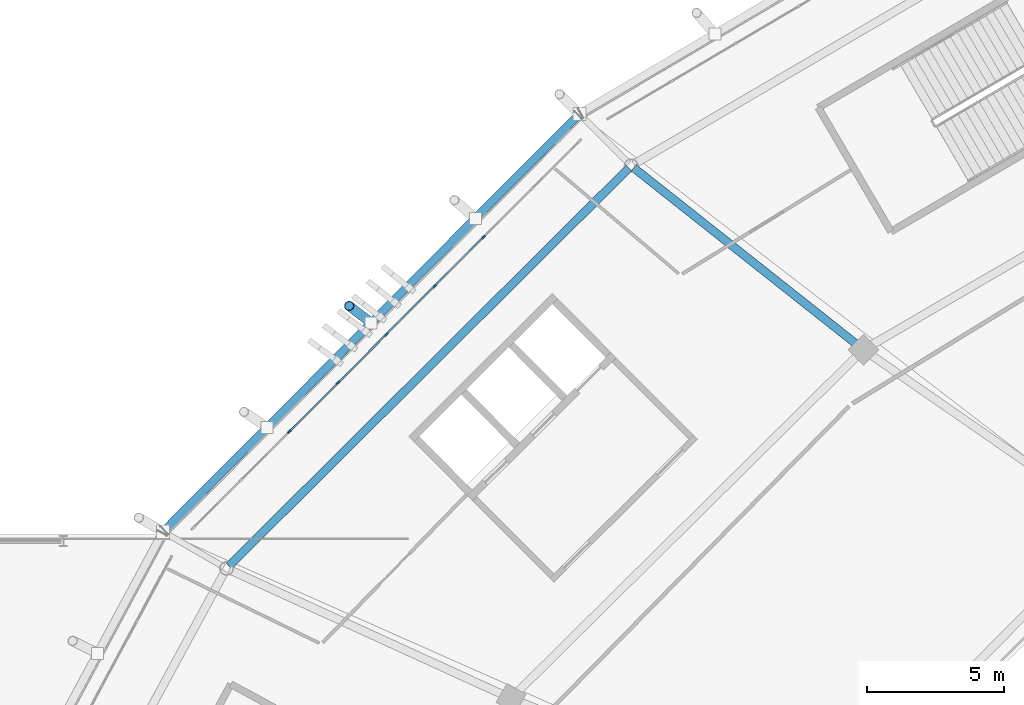
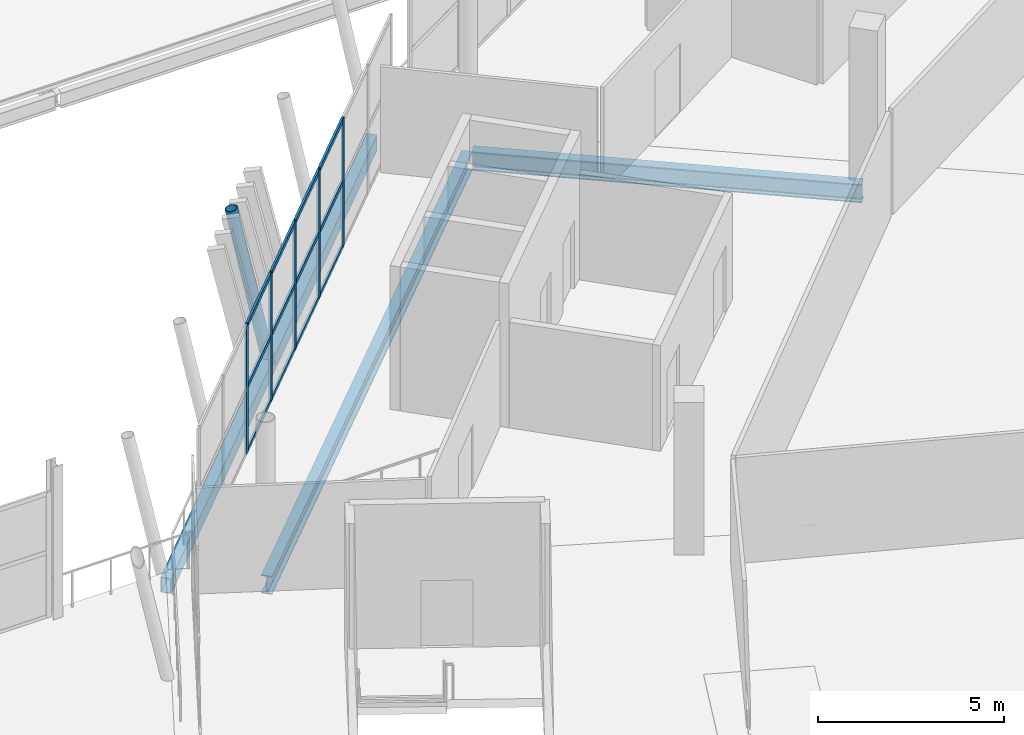
# One storey, part 47 of 179: 18 members, 3 beams, 1 element without a shape of its own.
"""IFC4 building model written with IfcOpenShell, lengths in metres."""

from ifc_helpers import new_model, si_unit, direction, frame, origin, origin_2d, place, context, subcontext, project, spatial, rectangle, hollow_rectangle, hollow_circle, i_section, extrude, material, material_profile, profile_set, type_object, element, aggregate, save


model = new_model("IFC4")

# Units and contexts
model_context = context("Model", 3, precision=1e-05, world=origin(), true_north=direction((0.0, 1.0)))
body_context = subcontext(model_context, "Body", "Model", "MODEL_VIEW")
ifc_project = project(units=[si_unit("LENGTHUNIT", "METRE"), si_unit("AREAUNIT", "SQUARE_METRE"), si_unit("VOLUMEUNIT", "CUBIC_METRE"), si_unit("PLANEANGLEUNIT", "RADIAN"), si_unit("MASSUNIT", "GRAM", prefix="KILO")], contexts=[model_context])

# Site, building, storey
site_placement = place(None, origin())
site = spatial("IfcSite", under=ifc_project, at=site_placement, CompositionType="ELEMENT")
building_placement = place(site_placement, origin())
building = spatial("IfcBuilding", under=site, at=building_placement, Name="Zlatoyarsky Gate Stadium", CompositionType="ELEMENT")
storey_placement = place(building_placement, frame((0.0, 0.0, 10.60009765625)))
storey = spatial("IfcBuildingStorey", under=building, at=storey_placement, Name="L02", CompositionType="ELEMENT", Elevation=10.60009765625)

# Curtain wall, members
ifc_material_1 = material(Name="Thermally broken anodised aluminium curtain wall", Category="aluminium")
curtain_wall_type = type_object("IfcCurtainWallType", Name="UNITISED HOSPITALITY GLAZING L02", PredefinedType="USERDEFINED", material=ifc_material_1)
curtain_wall_placement = place(storey_placement, origin())
curtain_wall = element("IfcCurtainWall", 1, at=curtain_wall_placement, inside=storey, type_object=curtain_wall_type, Name="Curtain wall CW-L02-09", ObjectType="UNITISED GLAZING", PredefinedType="USERDEFINED")
ifc_material_2 = material(Name="Anodised aluminium 6063-T6", Category="aluminium")
ifc_material_profile_1 = material_profile(ifc_material_2, rectangle(XDim=0.06494140625, YDim=0.159912109375, at=origin_2d()), Name="ALU 65X160")
ifc_profile_set_1 = profile_set([ifc_material_profile_1], Name="Anodised aluminium 6063-T6")
member_type_1 = type_object("IfcMemberType", Name="ALUMINIUM MULLION 65X160", PredefinedType="MULLION", material=ifc_profile_set_1)
member_1_placement = place(storey_placement, frame((39.8388671875, 127.59326171875, 0.0), z_axis=(0.0, 0.0, 1.0), x_axis=(0.707587678066, -0.706625557031, 0.0)))
member_1 = element("IfcMember", 2, at=member_1_placement, type_object=member_type_1, Name="CW-UG2 mullion 3", PredefinedType="MULLION", context=body_context, shape_type="SweptSolid", body=[
    extrude(rectangle(XDim=0.06494140625, YDim=0.159912109375, at=origin_2d()), origin(), (0.0, 0.0, 1.0), 4.199951171875),
])
member_2_placement = place(storey_placement, frame((38.067138671875, 125.819091796875, 0.0), z_axis=(0.0, 0.0, 1.0), x_axis=(0.707587678066, -0.706625557031, 0.0)))
member_2 = element("IfcMember", 3, at=member_2_placement, type_object=member_type_1, Name="CW-UG2 mullion 4", PredefinedType="MULLION", context=body_context, shape_type="SweptSolid", body=[
    extrude(rectangle(XDim=0.06494140625, YDim=0.159912109375, at=origin_2d()), origin(), (0.0, 0.0, 1.0), 4.199951171875),
])
member_3_placement = place(storey_placement, frame((36.295166015625, 124.044921875, 0.0), z_axis=(0.0, 0.0, 1.0), x_axis=(0.707587678066, -0.706625557031, 0.0)))
member_3 = element("IfcMember", 4, at=member_3_placement, type_object=member_type_1, Name="CW-UG2 mullion 5", PredefinedType="MULLION", context=body_context, shape_type="SweptSolid", body=[
    extrude(rectangle(XDim=0.06494140625, YDim=0.159912109375, at=origin_2d()), origin(), (0.0, 0.0, 1.0), 4.199951171875),
])
member_4_placement = place(storey_placement, frame((34.5234375, 122.2705078125, 0.0), z_axis=(0.0, 0.0, 1.0), x_axis=(0.707587678066, -0.706625557031, 0.0)))
member_4 = element("IfcMember", 5, at=member_4_placement, type_object=member_type_1, Name="CW-UG2 mullion 6", PredefinedType="MULLION", context=body_context, shape_type="SweptSolid", body=[
    extrude(rectangle(XDim=0.06494140625, YDim=0.159912109375, at=origin_2d()), origin(), (0.0, 0.0, 1.0), 4.199951171875),
])
member_5_placement = place(storey_placement, frame((32.75146484375, 120.496337890625, 0.0), z_axis=(0.0, 0.0, 1.0), x_axis=(0.707587678066, -0.706625557031, 0.0)))
member_5 = element("IfcMember", 6, at=member_5_placement, type_object=member_type_1, Name="CW-UG2 mullion 7", PredefinedType="MULLION", context=body_context, shape_type="SweptSolid", body=[
    extrude(rectangle(XDim=0.06494140625, YDim=0.159912109375, at=origin_2d()), origin(), (0.0, 0.0, 1.0), 4.199951171875),
])
ifc_material_profile_2 = material_profile(ifc_material_2, rectangle(XDim=0.06494140625, YDim=0.139892578125, at=origin_2d()), Name="ALU 65X140")
ifc_profile_set_2 = profile_set([ifc_material_profile_2], Name="Anodised aluminium 6063-T6")
member_type_2 = type_object("IfcMemberType", Name="ALUMINIUM TRANSOM 65X140", PredefinedType="USERDEFINED", material=ifc_profile_set_2)
member_6_placement = place(storey_placement, frame((39.81591796875, 127.5703125, 0.032470703125), z_axis=(-0.706606811932, -0.707606397181, 0.0), x_axis=(0.707606397181, -0.706606811932, 0.0)))
member_6 = element("IfcMember", 7, at=member_6_placement, type_object=member_type_2, Name="CW-UG2 transom 3.1", ObjectType="TRANSOM", PredefinedType="USERDEFINED", context=body_context, shape_type="SweptSolid", body=[
    extrude(rectangle(XDim=0.06494140625, YDim=0.139892578125, at=origin_2d()), origin(), (0.0, 0.0, 1.0), 2.4423828125),
])
member_7_placement = place(storey_placement, frame((39.81591796875, 127.5703125, 2.14990234375), z_axis=(-0.706606811932, -0.707606397181, 0.0), x_axis=(0.707606397181, -0.706606811932, 0.0)))
member_7 = element("IfcMember", 8, at=member_7_placement, type_object=member_type_2, Name="CW-UG2 transom 3.2", ObjectType="TRANSOM", PredefinedType="USERDEFINED", context=body_context, shape_type="SweptSolid", body=[
    extrude(rectangle(XDim=0.06494140625, YDim=0.139892578125, at=origin_2d()), origin(), (0.0, 0.0, 1.0), 2.4423828125),
])
member_8_placement = place(storey_placement, frame((39.81591796875, 127.5703125, 4.16748046875), z_axis=(-0.706606811932, -0.707606397181, 0.0), x_axis=(0.707606397181, -0.706606811932, 0.0)))
member_8 = element("IfcMember", 9, at=member_8_placement, type_object=member_type_2, Name="CW-UG2 transom 3.3", ObjectType="TRANSOM", PredefinedType="USERDEFINED", context=body_context, shape_type="SweptSolid", body=[
    extrude(rectangle(XDim=0.06494140625, YDim=0.139892578125, at=origin_2d()), origin(), (0.0, 0.0, 1.0), 2.4423828125),
])
member_9_placement = place(storey_placement, frame((38.044189453125, 125.796142578125, 0.032470703125), z_axis=(-0.706656856545, -0.707556419728, 0.0), x_axis=(0.707556419728, -0.706656856545, 0.0)))
member_9 = element("IfcMember", 10, at=member_9_placement, type_object=member_type_2, Name="CW-UG2 transom 4.1", ObjectType="TRANSOM", PredefinedType="USERDEFINED", context=body_context, shape_type="SweptSolid", body=[
    extrude(rectangle(XDim=0.06494140625, YDim=0.139892578125, at=origin_2d()), origin(), (0.0, 0.0, 1.0), 2.442626953125),
])
member_10_placement = place(storey_placement, frame((38.044189453125, 125.796142578125, 2.14990234375), z_axis=(-0.706656856545, -0.707556419728, 0.0), x_axis=(0.707556419728, -0.706656856545, 0.0)))
member_10 = element("IfcMember", 11, at=member_10_placement, type_object=member_type_2, Name="CW-UG2 transom 4.2", ObjectType="TRANSOM", PredefinedType="USERDEFINED", context=body_context, shape_type="SweptSolid", body=[
    extrude(rectangle(XDim=0.06494140625, YDim=0.139892578125, at=origin_2d()), origin(), (0.0, 0.0, 1.0), 2.442626953125),
])
member_11_placement = place(storey_placement, frame((38.044189453125, 125.796142578125, 4.16748046875), z_axis=(-0.706656856545, -0.707556419728, 0.0), x_axis=(0.707556419728, -0.706656856545, 0.0)))
member_11 = element("IfcMember", 12, at=member_11_placement, type_object=member_type_2, Name="CW-UG2 transom 4.3", ObjectType="TRANSOM", PredefinedType="USERDEFINED", context=body_context, shape_type="SweptSolid", body=[
    extrude(rectangle(XDim=0.06494140625, YDim=0.139892578125, at=origin_2d()), origin(), (0.0, 0.0, 1.0), 2.442626953125),
])
member_12_placement = place(storey_placement, frame((36.272216796875, 124.02197265625, 0.032470703125), z_axis=(-0.706606811932, -0.707606397181, 0.0), x_axis=(0.707606397181, -0.706606811932, 0.0)))
member_12 = element("IfcMember", 13, at=member_12_placement, type_object=member_type_2, Name="CW-UG2 transom 5.1", ObjectType="TRANSOM", PredefinedType="USERDEFINED", context=body_context, shape_type="SweptSolid", body=[
    extrude(rectangle(XDim=0.06494140625, YDim=0.139892578125, at=origin_2d()), origin(), (0.0, 0.0, 1.0), 2.4423828125),
])
member_13_placement = place(storey_placement, frame((36.272216796875, 124.02197265625, 2.14990234375), z_axis=(-0.706606811932, -0.707606397181, 0.0), x_axis=(0.707606397181, -0.706606811932, 0.0)))
member_13 = element("IfcMember", 14, at=member_13_placement, type_object=member_type_2, Name="CW-UG2 transom 5.2", ObjectType="TRANSOM", PredefinedType="USERDEFINED", context=body_context, shape_type="SweptSolid", body=[
    extrude(rectangle(XDim=0.06494140625, YDim=0.139892578125, at=origin_2d()), origin(), (0.0, 0.0, 1.0), 2.4423828125),
])
member_14_placement = place(storey_placement, frame((36.272216796875, 124.02197265625, 4.16748046875), z_axis=(-0.706606811932, -0.707606397181, 0.0), x_axis=(0.707606397181, -0.706606811932, 0.0)))
member_14 = element("IfcMember", 15, at=member_14_placement, type_object=member_type_2, Name="CW-UG2 transom 5.3", ObjectType="TRANSOM", PredefinedType="USERDEFINED", context=body_context, shape_type="SweptSolid", body=[
    extrude(rectangle(XDim=0.06494140625, YDim=0.139892578125, at=origin_2d()), origin(), (0.0, 0.0, 1.0), 2.4423828125),
])
member_15_placement = place(storey_placement, frame((34.50048828125, 122.24755859375, 0.032470703125), z_axis=(-0.706656856545, -0.707556419728, 0.0), x_axis=(0.707556419728, -0.706656856545, 0.0)))
member_15 = element("IfcMember", 16, at=member_15_placement, type_object=member_type_2, Name="CW-UG2 transom 6.1", ObjectType="TRANSOM", PredefinedType="USERDEFINED", context=body_context, shape_type="SweptSolid", body=[
    extrude(rectangle(XDim=0.06494140625, YDim=0.139892578125, at=origin_2d()), origin(), (0.0, 0.0, 1.0), 2.442626953125),
])
member_16_placement = place(storey_placement, frame((34.50048828125, 122.24755859375, 2.14990234375), z_axis=(-0.706656856545, -0.707556419728, 0.0), x_axis=(0.707556419728, -0.706656856545, 0.0)))
member_16 = element("IfcMember", 17, at=member_16_placement, type_object=member_type_2, Name="CW-UG2 transom 6.2", ObjectType="TRANSOM", PredefinedType="USERDEFINED", context=body_context, shape_type="SweptSolid", body=[
    extrude(rectangle(XDim=0.06494140625, YDim=0.139892578125, at=origin_2d()), origin(), (0.0, 0.0, 1.0), 2.442626953125),
])
member_17_placement = place(storey_placement, frame((34.50048828125, 122.24755859375, 4.16748046875), z_axis=(-0.706656856545, -0.707556419728, 0.0), x_axis=(0.707556419728, -0.706656856545, 0.0)))
member_17 = element("IfcMember", 18, at=member_17_placement, type_object=member_type_2, Name="CW-UG2 transom 6.3", ObjectType="TRANSOM", PredefinedType="USERDEFINED", context=body_context, shape_type="SweptSolid", body=[
    extrude(rectangle(XDim=0.06494140625, YDim=0.139892578125, at=origin_2d()), origin(), (0.0, 0.0, 1.0), 2.442626953125),
])
aggregate(curtain_wall, [member_1, member_2, member_3, member_4, member_5, member_6, member_7, member_8, member_9, member_10, member_11, member_12, member_13, member_14, member_15, member_16, member_17])

# Member
ifc_material_3 = material(Name="Steel S355", Category="steel")
ifc_material_profile_3 = material_profile(ifc_material_3, hollow_circle(Radius=0.177734375, WallThickness=0.02001953125, at=origin_2d()), Name="CHS 355.6X20")
ifc_profile_set_3 = profile_set([ifc_material_profile_3], Name="Steel S355")
member_type_3 = type_object("IfcMemberType", Name="STEEL LEANING RIB RING STRUT CHS 355.6X20", PredefinedType="STRUT", material=ifc_profile_set_3)
member_18_placement = place(storey_placement, frame((35.744384765625, 124.46728515625, -0.530029296875), z_axis=(-0.158184279815, 0.121389448848, 0.979919555539), x_axis=(-0.608794200156, -0.79332819303, 0.0)))
element("IfcMember", 19, at=member_18_placement, inside=storey, type_object=member_type_3, Name="Outward-leaning bowl louvre fin rib L02 09-2", PredefinedType="STRUT", context=body_context, shape_type="SweptSolid", body=[
    extrude(hollow_circle(Radius=0.177734375, WallThickness=0.02001953125, at=origin_2d()), origin(), (0.0, 0.0, 1.0), 5.1025390625),
])

# Beams
ifc_material_profile_4 = material_profile(ifc_material_3, hollow_rectangle(XDim=0.300048828125, YDim=0.5, WallThickness=0.02001953125, at=origin_2d()), Name="RHS 500X300X20")
ifc_profile_set_4 = profile_set([ifc_material_profile_4], Name="Steel S355")
beam_type_1 = type_object("IfcBeamType", Name="STEEL LOUVRE CARRIER SPANDREL RHS 500X300X20", PredefinedType="SPANDREL", material=ifc_profile_set_4)
beam_1_placement = place(storey_placement, frame((43.332763671875, 132.08251953125, -0.530029296875), z_axis=(-0.7058509581, -0.708360377879, 0.0), x_axis=(0.708360377879, -0.7058509581, 0.0)))
element("IfcBeam", 20, at=beam_1_placement, inside=storey, type_object=beam_type_1, Name="Beam SP-RHS500 BM-L02-SPD-09", PredefinedType="SPANDREL", context=body_context, shape_type="SweptSolid", body=[
    extrude(hollow_rectangle(XDim=0.300048828125, YDim=0.5, WallThickness=0.02001953125, at=origin_2d()), origin(), (0.0, 0.0, 1.0), 21.5009765625),
])
ifc_material_profile_5 = material_profile(ifc_material_3, i_section(OverallWidth=0.300048828125, OverallDepth=0.60009765625, WebThickness=0.015380859375, FlangeThickness=0.030029296875, FilletRadius=0.027099609375, at=origin_2d()), Name="HEB 600")
ifc_profile_set_5 = profile_set([ifc_material_profile_5], Name="Steel S355")
beam_type_2 = type_object("IfcBeamType", Name="STEEL PRIMARY GIRDER HEB 600", PredefinedType="BEAM", material=ifc_profile_set_5)
beam_2_placement = place(storey_placement, frame((53.63037109375, 123.5615234375, -0.580078125), z_axis=(-0.78404348542, 0.620705898933, 0.0), x_axis=(-0.620705898933, -0.78404348542, 0.0)))
element("IfcBeam", 21, at=beam_2_placement, inside=storey, type_object=beam_type_2, Name="Beam G-HEB600 BM-L02-RBC-09", PredefinedType="BEAM", context=body_context, shape_type="SweptSolid", body=[
    extrude(i_section(OverallWidth=0.300048828125, OverallDepth=0.60009765625, WebThickness=0.015380859375, FlangeThickness=0.030029296875, FilletRadius=0.027099609375, at=origin_2d()), origin(), (0.0, 0.0, 1.0), 10.58251953125),
])
beam_3_placement = place(storey_placement, frame((45.154052734375, 130.1201171875, -0.580078125), z_axis=(-0.708899260134, -0.705309746835, 0.0), x_axis=(0.705309746835, -0.708899260134, 0.0)))
element("IfcBeam", 22, at=beam_3_placement, inside=storey, type_object=beam_type_2, Name="Beam G-HEB600 BM-L02-CRC-09", PredefinedType="BEAM", context=body_context, shape_type="SweptSolid", body=[
    extrude(i_section(OverallWidth=0.300048828125, OverallDepth=0.60009765625, WebThickness=0.015380859375, FlangeThickness=0.030029296875, FilletRadius=0.027099609375, at=origin_2d()), origin(), (0.0, 0.0, 1.0), 20.608642578125),
])

save(model, "model.ifc")
